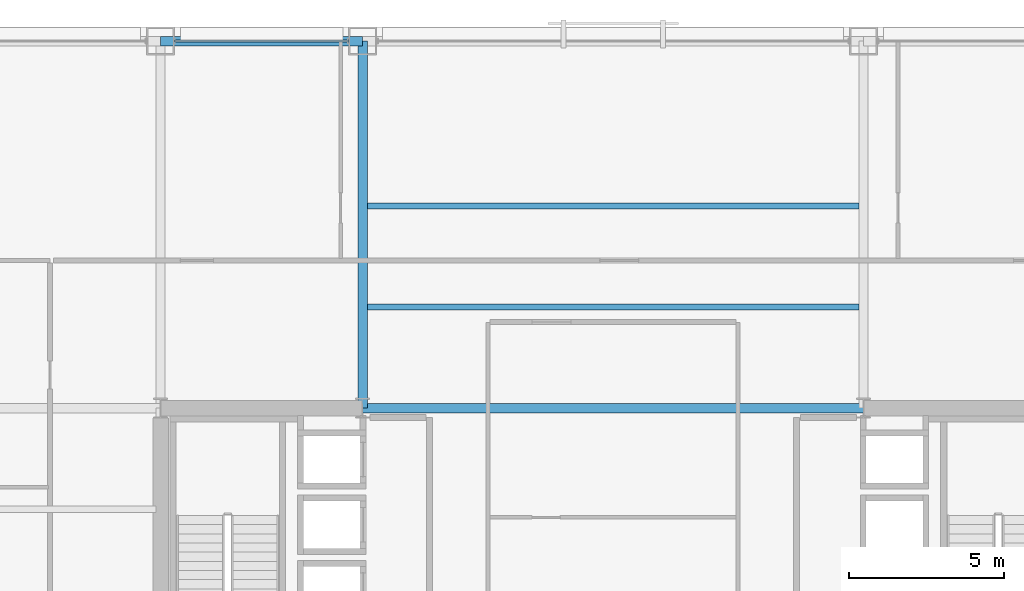
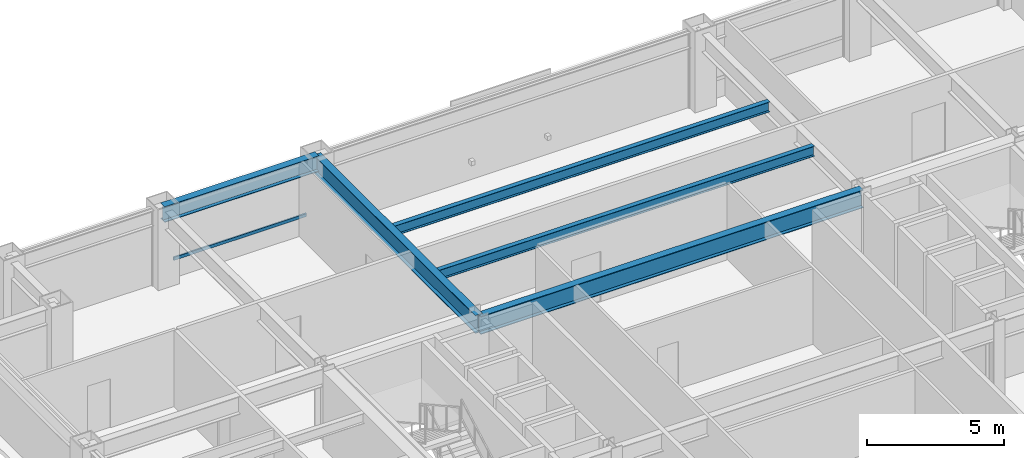
# One storey, part 18 of 30: 5 beams, 1 member, 1 element without a shape of its own.
"""IFC4 building model written with IfcOpenShell, lengths in metres."""

import ifcopenshell
import ifcopenshell.guid

model = None  # the IFC model being written
_history = None  # IfcOwnerHistory: only IFC2X3 demands one
_inside = {}  # id of a spatial element -> (the spatial element, [elements in it])
_under = {}  # id of a project, library or spatial element -> (it, [spatial elements below it])
_declared = {}  # id of a project -> (the project, [libraries it declares])
_typed = {}  # id of a type object -> (the type object, [elements of that type])
_made_of = {}  # id of a material, layer set ... -> (it, [elements and type objects made of it])


def new_model(schema):
    """Start an empty IFC model of exactly this schema.

    Asked for "IFC4X3", IfcOpenShell would pick the latest addendum, in which some entities
    have other attributes; the version numbers below select the first issue.
    IFC2X3 requires an IfcOwnerHistory on every rooted entity: one is made here for all.
    """
    global model, _history
    if schema == "IFC4X3":
        model = ifcopenshell.file(schema_version=(4, 3, 0, 0))
    else:
        model = ifcopenshell.file(schema=schema)
    _inside.clear()
    _under.clear()
    _declared.clear()
    _typed.clear()
    _made_of.clear()
    _history = None
    if model.schema == "IFC2X3":
        org = make("IfcOrganization", Name="unknown")
        user = make(
            "IfcPersonAndOrganization",
            ThePerson=make("IfcPerson", FamilyName="unknown"),
            TheOrganization=org,
        )
        app = make(
            "IfcApplication",
            ApplicationDeveloper=org,
            Version="unknown",
            ApplicationFullName="unknown",
            ApplicationIdentifier="unknown",
        )
        _history = make(
            "IfcOwnerHistory",
            OwningUser=user,
            OwningApplication=app,
            ChangeAction="ADDED",
            CreationDate=0,
        )
    return model


def make(cls, **values):
    """One entity of the class cls with the attributes given. An attribute that is None is left unset."""
    return model.create_entity(
        cls, **{name: value for name, value in values.items() if value is not None}
    )


def rooted(cls, **values):
    """An entity with a GlobalId (a new one), such as an element, a storey or a relation."""
    return make(cls, GlobalId=ifcopenshell.guid.new(), OwnerHistory=_history, **values)


def si_unit(unit_type, name, prefix=None):
    """IfcSIUnit, for example si_unit("LENGTHUNIT", "METRE", prefix="MILLI")."""
    return make("IfcSIUnit", UnitType=unit_type, Prefix=prefix, Name=name)


def assignment(units):
    """IfcUnitAssignment: the units of a project."""
    return None if units is None else make("IfcUnitAssignment", Units=units)


def point(xyz):
    """IfcCartesianPoint."""
    return None if xyz is None else make("IfcCartesianPoint", Coordinates=xyz)


def direction(xyz):
    """IfcDirection."""
    return None if xyz is None else make("IfcDirection", DirectionRatios=xyz)


def frame(location, z_axis=None, x_axis=None):
    """IfcAxis2Placement3D, a coordinate frame: its origin and axes. An axis left out is left unset."""
    return make(
        "IfcAxis2Placement3D",
        Location=point(location),
        Axis=direction(z_axis),
        RefDirection=direction(x_axis),
    )


def frame_2d(location, x_axis=None):
    """IfcAxis2Placement2D, a coordinate frame in the plane: its origin and x axis."""
    return make(
        "IfcAxis2Placement2D", Location=point(location), RefDirection=direction(x_axis)
    )


def origin():
    """The frame at (0, 0, 0) with its axes left unset."""
    return frame((0.0, 0.0, 0.0))


def origin_2d():
    """The frame at (0, 0) in the plane with its x axis left unset."""
    return frame_2d((0.0, 0.0))


def place(relative_to, where):
    """IfcLocalPlacement: puts the frame where relative to a parent placement (None: the world)."""
    return make(
        "IfcLocalPlacement", PlacementRelTo=relative_to, RelativePlacement=where
    )


def context(
    kind, dimensions, precision=None, world=None, true_north=None, identifier=None
):
    """IfcGeometricRepresentationContext, for example the 3D "Model" context."""
    return make(
        "IfcGeometricRepresentationContext",
        ContextIdentifier=identifier,
        ContextType=kind,
        CoordinateSpaceDimension=dimensions,
        Precision=precision,
        WorldCoordinateSystem=world,
        TrueNorth=true_north,
    )


def subcontext(parent, identifier, kind, view, scale=None):
    """IfcGeometricRepresentationSubContext, for example "Body" below "Model"."""
    return make(
        "IfcGeometricRepresentationSubContext",
        ContextIdentifier=identifier,
        ContextType=kind,
        ParentContext=parent,
        TargetScale=scale,
        TargetView=view,
    )


def project(units=None, contexts=None):
    """IfcProject with its units and contexts."""
    return rooted(
        "IfcProject",
        Name="project",
        RepresentationContexts=contexts,
        UnitsInContext=assignment(units),
    )


def spatial(cls, under=None, at=None, **own):
    """A site, building, storey or space (cls), placed at a placement, below another one or the project."""
    s = rooted(cls, ObjectPlacement=at, **own)
    if under is not None:
        _under.setdefault(under.id(), (under, []))[1].append(s)
    return s


def profile(cls, at=None, kind="AREA", **sizes):
    """A parametric profile (cls). Its sizes go by their IFC names, for example OverallWidth=200.0."""
    return make(cls, ProfileType=kind, Position=at, **sizes)


def hollow_rectangle(**sizes):
    """IfcRectangleHollowProfileDef."""
    return profile("IfcRectangleHollowProfileDef", **sizes)


def i_section(**sizes):
    """IfcIShapeProfileDef."""
    return profile("IfcIShapeProfileDef", **sizes)


def extrude(swept, where, along, depth):
    """IfcExtrudedAreaSolid: the profile swept, set in the frame where, extruded along a direction by depth."""
    return make(
        "IfcExtrudedAreaSolid",
        SweptArea=swept,
        Position=where,
        ExtrudedDirection=direction(along),
        Depth=depth,
    )


def shape(context_of_items, identifier, shape_type, items):
    """IfcShapeRepresentation: the items that make up one representation, for example the "Body"."""
    return make(
        "IfcShapeRepresentation",
        ContextOfItems=context_of_items,
        RepresentationIdentifier=identifier,
        RepresentationType=shape_type,
        Items=items,
    )


def material(Name=None, Category=None):
    """IfcMaterial."""
    return make("IfcMaterial", Name=Name, Category=Category)


def layer(
    of_material, thickness, ventilated=None, Name=None, Category=None, Priority=None
):
    """IfcMaterialLayer: one layer of a wall or slab, of a material (None: an air gap)."""
    return make(
        "IfcMaterialLayer",
        Material=of_material,
        LayerThickness=thickness,
        IsVentilated=ventilated,
        Name=Name,
        Category=Category,
        Priority=Priority,
    )


def layer_set(layers, Name=None):
    """IfcMaterialLayerSet."""
    return make("IfcMaterialLayerSet", MaterialLayers=layers, LayerSetName=Name)


def material_profile(
    of_material, cross_section, Name=None, Category=None, Priority=None
):
    """IfcMaterialProfile: a cross section and its material."""
    return make(
        "IfcMaterialProfile",
        Name=Name,
        Material=of_material,
        Profile=cross_section,
        Priority=Priority,
        Category=Category,
    )


def profile_set(profiles, Name=None, composite=None):
    """IfcMaterialProfileSet."""
    return make(
        "IfcMaterialProfileSet",
        Name=Name,
        MaterialProfiles=profiles,
        CompositeProfile=composite,
    )


def made_of(thing, what):
    """Note that an element or type object is made of a material, layer set ...; save() writes the relation."""
    if what is not None:
        _made_of.setdefault(what.id(), (what, []))[1].append(thing)
    return thing


def type_object(cls, material=None, **own):
    """A type object (cls), such as IfcWallType, which elements share."""
    return made_of(rooted(cls, **own), material)


def element(
    cls,
    number,
    at=None,
    inside=None,
    cuts=None,
    type_object=None,
    material=None,
    context=None,
    identifier="Body",
    shape_type=None,
    held_by="IfcProductDefinitionShape",
    body=None,
    shapes=None,
    **own,
):
    """One element of the class cls, such as IfcWall. Its Tag is "e" and its number.

    at: its placement. inside: the storey or other place that contains it. cuts: it is an
    opening in that element (IfcRelVoidsElement). A single representation is given by context,
    identifier, shape_type and body (its items); several are given by shapes. held_by: the class
    of the entity that holds the representations. save() writes the other relations.
    """
    e = rooted(cls, Tag="e%d" % number, ObjectPlacement=at, **own)
    if body is not None:
        shapes = [shape(context, identifier, shape_type, body)]
    if shapes is not None:
        e.Representation = make(held_by, Representations=shapes)
    if inside is not None:
        _inside.setdefault(inside.id(), (inside, []))[1].append(e)
    if cuts is not None:
        rooted(
            "IfcRelVoidsElement", RelatingBuildingElement=cuts, RelatedOpeningElement=e
        )
    if type_object is not None:
        _typed.setdefault(type_object.id(), (type_object, []))[1].append(e)
    return made_of(e, material)


def aggregate(whole, parts):
    """IfcRelAggregates: a whole, such as a stair, and the parts it consists of."""
    return rooted("IfcRelAggregates", RelatingObject=whole, RelatedObjects=parts)


def save(model, path):
    """Write the relations noted so far, then the file.

    IfcRelAggregates (storeys below a building ...), IfcRelContainedInSpatialStructure (elements
    in a storey), IfcRelDefinesByType, IfcRelAssociatesMaterial and IfcRelDeclares: one each for
    every whole, place, type object, material and project.
    """
    for whole, parts in _under.values():
        aggregate(whole, parts)
    for where, things in _inside.values():
        rooted(
            "IfcRelContainedInSpatialStructure",
            RelatedElements=things,
            RelatingStructure=where,
        )
    for kind, things in _typed.values():
        rooted("IfcRelDefinesByType", RelatedObjects=things, RelatingType=kind)
    for what, things in _made_of.values():
        rooted("IfcRelAssociatesMaterial", RelatedObjects=things, RelatingMaterial=what)
    for by, libraries in _declared.values():
        rooted("IfcRelDeclares", RelatingContext=by, RelatedDefinitions=libraries)
    model.write(path)


model = new_model("IFC4")

# Units and contexts
model_context = context("Model", 3, precision=1e-05, world=origin(), true_north=direction((0.0, 1.0)))
body_context = subcontext(model_context, "Body", "Model", "MODEL_VIEW")
ifc_project = project(units=[si_unit("LENGTHUNIT", "METRE"), si_unit("AREAUNIT", "SQUARE_METRE"), si_unit("VOLUMEUNIT", "CUBIC_METRE"), si_unit("PLANEANGLEUNIT", "RADIAN"), si_unit("MASSUNIT", "GRAM", prefix="KILO")], contexts=[model_context])

# Site, building, storey
site_placement = place(None, origin())
site = spatial("IfcSite", under=ifc_project, at=site_placement, CompositionType="ELEMENT")
building_placement = place(site_placement, origin())
building = spatial("IfcBuilding", under=site, at=building_placement, Name="Brelmoor Portico Tower", CompositionType="ELEMENT")
storey_placement = place(building_placement, frame((0.0, 0.0, 74.39990234375)))
storey = spatial("IfcBuildingStorey", under=building, at=storey_placement, Name="L19", CompositionType="ELEMENT", Elevation=74.39990234375)

# Beams
ifc_material_1 = material(Name="Steel Q355B", Category="steel")
ifc_material_profile_1 = material_profile(ifc_material_1, i_section(OverallWidth=0.199951171875, OverallDepth=0.449951171875, WebThickness=0.009033203125, FlangeThickness=0.013916015625, at=origin_2d()), Name="HN 450x200x9x14")
ifc_profile_set_1 = profile_set([ifc_material_profile_1], Name="Steel Q355B")
beam_type_1 = type_object("IfcBeamType", Name="BM-JS-450", PredefinedType="JOIST", material=ifc_profile_set_1)
for number, where, z_axis, x_axis, name in (
    (1, (-7.89990234375, 13.0, 3.175048828125), (1.0, 0.0, 0.0), (0.0, 1.0, 0.0), "L19 Secondary Composite Joist JS-C03"),
    (2, (-7.89990234375, 16.25, 3.175048828125), (1.0, 0.0, 0.0), (0.0, 1.0, 0.0), "L19 Secondary Composite Joist JS-C04"),
):
    element("IfcBeam", number, at=place(storey_placement, frame(where, z_axis=z_axis, x_axis=x_axis)), inside=storey, type_object=beam_type_1, Name=name, PredefinedType="JOIST", context=body_context, shape_type="SweptSolid", body=[
        extrude(i_section(OverallWidth=0.199951171875, OverallDepth=0.449951171875, WebThickness=0.009033203125, FlangeThickness=0.013916015625, at=origin_2d()), origin(), (0.0, 0.0, 1.0), 15.7998046875),
    ])
ifc_material_profile_2 = material_profile(ifc_material_1, i_section(OverallWidth=0.300048828125, OverallDepth=0.800048828125, WebThickness=0.013916015625, FlangeThickness=0.02587890625, at=origin_2d()), Name="HN 800x300x14x26")
ifc_profile_set_2 = profile_set([ifc_material_profile_2], Name="Steel Q355B")
beam_type_2 = type_object("IfcBeamType", Name="BM-PG-800", PredefinedType="BEAM", material=ifc_profile_set_2)
beam_1_placement = place(storey_placement, frame((-8.050048828125, 9.75, 3.0), z_axis=(0.0, 1.0, 0.0), x_axis=(-1.0, 0.0, 0.0)))
element("IfcBeam", 3, at=beam_1_placement, inside=storey, type_object=beam_type_2, Name="L19 Primary Floor Girder PG-08", PredefinedType="BEAM", context=body_context, shape_type="SweptSolid", body=[
    extrude(i_section(OverallWidth=0.300048828125, OverallDepth=0.800048828125, WebThickness=0.013916015625, FlangeThickness=0.02587890625, at=origin_2d()), origin(), (0.0, 0.0, 1.0), 11.800048828125),
])
beam_2_placement = place(storey_placement, frame((-8.050048828125, 9.75, 3.0), z_axis=(1.0, 0.0, 0.0), x_axis=(0.0, 1.0, 0.0)))
element("IfcBeam", 4, at=beam_2_placement, inside=storey, type_object=beam_type_2, Name="L19 Primary Floor Girder PG-29", PredefinedType="BEAM", context=body_context, shape_type="SweptSolid", body=[
    extrude(i_section(OverallWidth=0.300048828125, OverallDepth=0.800048828125, WebThickness=0.013916015625, FlangeThickness=0.02587890625, at=origin_2d()), origin(), (0.0, 0.0, 1.0), 16.10009765625),
])
ifc_material_profile_3 = material_profile(ifc_material_1, i_section(OverallWidth=0.300048828125, OverallDepth=0.699951171875, WebThickness=0.012939453125, FlangeThickness=0.02392578125, at=origin_2d()), Name="HN 700x300x13x24")
ifc_profile_set_3 = profile_set([ifc_material_profile_3], Name="Steel Q355B")
beam_type_3 = type_object("IfcBeamType", Name="BM-SP-700", PredefinedType="SPANDREL", material=ifc_profile_set_3)
beam_3_placement = place(storey_placement, frame((-14.550048828125, 21.550048828125, 3.050048828125), z_axis=(1.0, 0.0, 0.0), x_axis=(0.0, 1.0, 0.0)))
element("IfcBeam", 5, at=beam_3_placement, inside=storey, type_object=beam_type_3, Name="L19 Perimeter Spandrel Beam SP-11", PredefinedType="SPANDREL", context=body_context, shape_type="SweptSolid", body=[
    extrude(i_section(OverallWidth=0.300048828125, OverallDepth=0.699951171875, WebThickness=0.012939453125, FlangeThickness=0.02392578125, at=origin_2d()), origin(), (0.0, 0.0, 1.0), 6.5),
])

# Curtain wall, member
ifc_material_2 = material(Name="Anodised Aluminium Alloy 6063-T6", Category="aluminium")
ifc_layer = layer(ifc_material_2, 0.179931640625)
ifc_layer_set = layer_set([ifc_layer], Name="Anodised Aluminium Alloy 6063-T6")
curtain_wall_type = type_object("IfcCurtainWallType", Name="CW-TOWER-Z1", PredefinedType="NOTDEFINED", material=ifc_layer_set)
curtain_wall_placement = place(storey_placement, origin())
curtain_wall = element("IfcCurtainWall", 6, at=curtain_wall_placement, inside=storey, type_object=curtain_wall_type, Name="L19 Curtain Wall CW-L19-02-2", PredefinedType="NOTDEFINED")
ifc_material_profile_4 = material_profile(ifc_material_2, hollow_rectangle(XDim=0.06494140625, YDim=0.139892578125, WallThickness=0.00390625, at=origin_2d()), Name="ALU TRANSOM 65x140")
ifc_profile_set_4 = profile_set([ifc_material_profile_4], Name="Anodised Aluminium Alloy 6063-T6")
member_type = type_object("IfcMemberType", Name="MB-CW-TRAN-140", PredefinedType="USERDEFINED", material=ifc_profile_set_4)
member_placement = place(storey_placement, frame((-14.090087890625, 21.550048828125, 0.85009765625), z_axis=(1.0, 0.0, 0.0), x_axis=(0.0, 1.0, 0.0)))
member = element("IfcMember", 7, at=member_placement, type_object=member_type, Name="CW-L19-02-2 Transom 1-00", ObjectType="TRANSOM", PredefinedType="USERDEFINED", context=body_context, shape_type="SweptSolid", body=[
    extrude(hollow_rectangle(XDim=0.06494140625, YDim=0.139892578125, WallThickness=0.00390625, at=origin_2d()), origin(), (0.0, 0.0, 1.0), 5.580078125),
])
aggregate(curtain_wall, [member])

save(model, "model.ifc")
